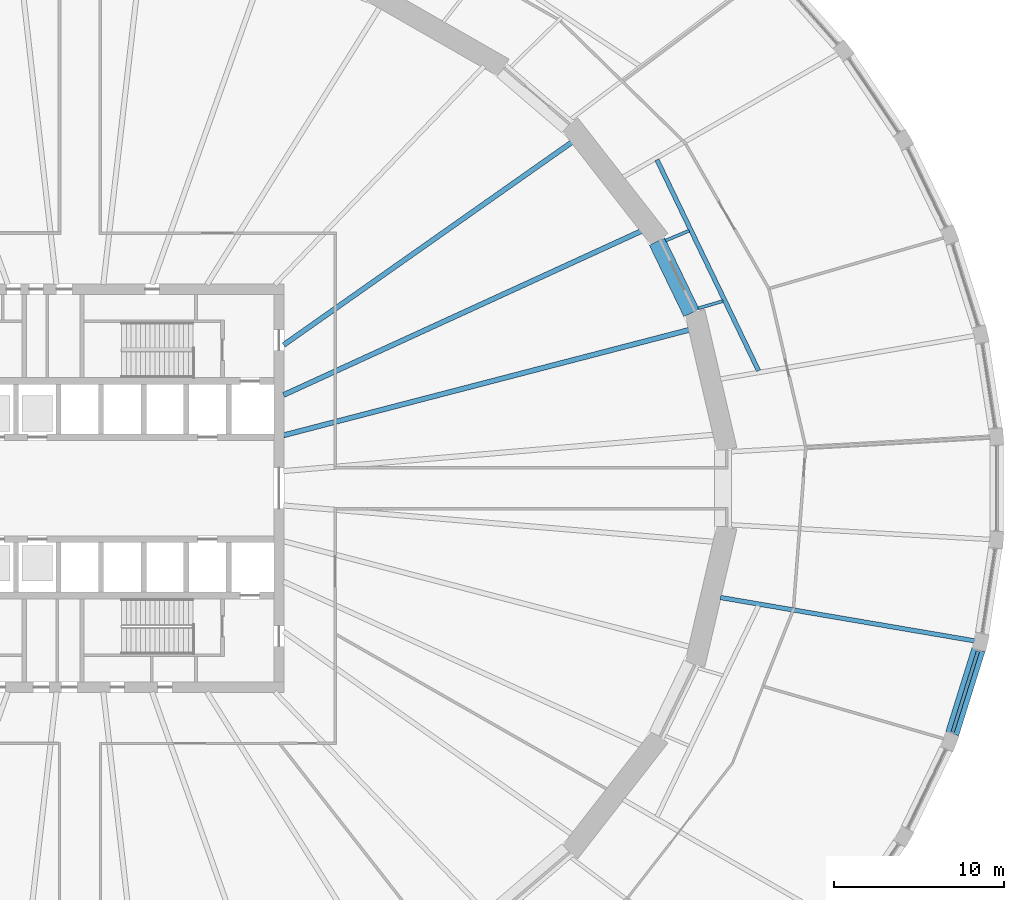
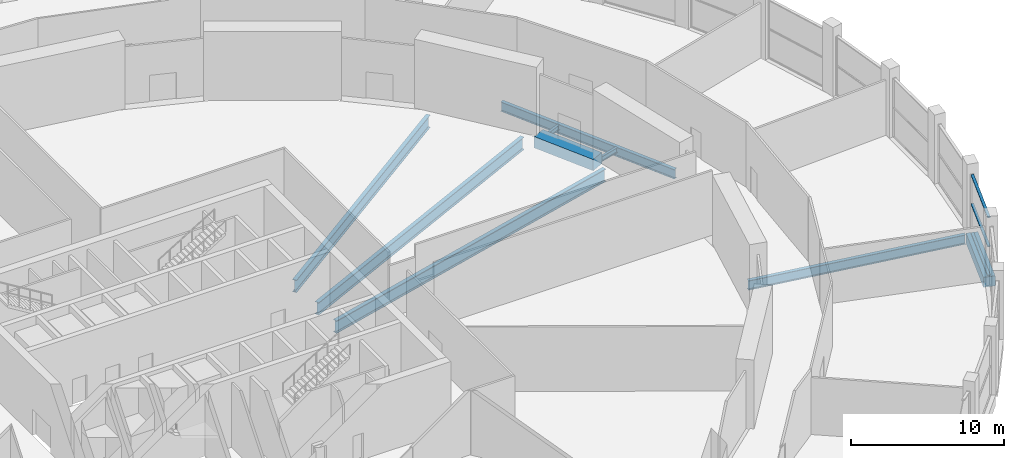
# One storey, part 11 of 29: 9 beams, 3 members, 1 element without a shape of its own.
"""IFC4 building model written with IfcOpenShell, lengths in metres."""

from ifc_helpers import new_model, si_unit, direction, frame, origin, origin_2d, place, context, subcontext, project, spatial, rectangle, i_section, extrude, material, material_profile, profile_set, type_object, element, aggregate, save


model = new_model("IFC4")

# Units and contexts
model_context = context("Model", 3, precision=1e-05, world=origin(), true_north=direction((0.0, 1.0)))
body_context = subcontext(model_context, "Body", "Model", "MODEL_VIEW")
ifc_project = project(units=[si_unit("LENGTHUNIT", "METRE"), si_unit("AREAUNIT", "SQUARE_METRE"), si_unit("VOLUMEUNIT", "CUBIC_METRE"), si_unit("PLANEANGLEUNIT", "RADIAN"), si_unit("MASSUNIT", "GRAM", prefix="KILO")], contexts=[model_context])

# Site, building, storey
site_placement = place(None, origin())
site = spatial("IfcSite", under=ifc_project, at=site_placement, CompositionType="ELEMENT")
building_placement = place(site_placement, origin())
building = spatial("IfcBuilding", under=site, at=building_placement, Name="Halqa Exchange Tower", CompositionType="ELEMENT")
storey_placement = place(building_placement, frame((0.0, 0.0, 7.0)))
storey = spatial("IfcBuildingStorey", under=building, at=storey_placement, Name="L01", CompositionType="ELEMENT", Elevation=7.0)

# Curtain wall, members
ifc_material_1 = material(Name="Anodised aluminium and clear glass", Category="aluminium")
curtain_wall_type = type_object("IfcCurtainWallType", Name="Exchange hall glazing", PredefinedType="NOTDEFINED", material=ifc_material_1)
curtain_wall_placement = place(storey_placement, origin())
curtain_wall = element("IfcCurtainWall", 1, at=curtain_wall_placement, inside=storey, type_object=curtain_wall_type, Name="Exchange hall glazing run P46", PredefinedType="NOTDEFINED")
ifc_material_2 = material(Name="Anodised aluminium", Category="aluminium")
ifc_material_profile_1 = material_profile(ifc_material_2, rectangle(XDim=0.199951171875, YDim=0.070068359375, at=origin_2d()), Name="AL 70x200")
ifc_profile_set_1 = profile_set([ifc_material_profile_1], Name="Anodised aluminium")
member_type = type_object("IfcMemberType", Name="Exchange hall glazing transom 70 x 200", PredefinedType="USERDEFINED", material=ifc_profile_set_1)
member_1_placement = place(storey_placement, frame((51.30419921875, -14.338623046875, 0.034912109375), z_axis=(0.298305642444, 0.954470399586, 0.0), x_axis=(-0.954470399586, 0.298305642444, 0.0)))
member_1 = element("IfcMember", 2, at=member_1_placement, type_object=member_type, Name="P46 transom 1.1", ObjectType="TRANSOM", PredefinedType="USERDEFINED", context=body_context, shape_type="SweptSolid", body=[
    extrude(rectangle(XDim=0.199951171875, YDim=0.070068359375, at=origin_2d()), origin(), (0.0, 0.0, 1.0), 4.989013671875),
])
member_2_placement = place(storey_placement, frame((51.30419921875, -14.338623046875, 2.35009765625), z_axis=(0.298305642444, 0.954470399586, 0.0), x_axis=(-0.954470399586, 0.298305642444, 0.0)))
member_2 = element("IfcMember", 3, at=member_2_placement, type_object=member_type, Name="P46 transom 1.2", ObjectType="TRANSOM", PredefinedType="USERDEFINED", context=body_context, shape_type="SweptSolid", body=[
    extrude(rectangle(XDim=0.199951171875, YDim=0.070068359375, at=origin_2d()), origin(), (0.0, 0.0, 1.0), 4.989013671875),
])
member_3_placement = place(storey_placement, frame((51.30419921875, -14.338623046875, 4.6650390625), z_axis=(0.298305642444, 0.954470399586, 0.0), x_axis=(-0.954470399586, 0.298305642444, 0.0)))
member_3 = element("IfcMember", 4, at=member_3_placement, type_object=member_type, Name="P46 transom 1.3", ObjectType="TRANSOM", PredefinedType="USERDEFINED", context=body_context, shape_type="SweptSolid", body=[
    extrude(rectangle(XDim=0.199951171875, YDim=0.070068359375, at=origin_2d()), origin(), (0.0, 0.0, 1.0), 4.989013671875),
])
aggregate(curtain_wall, [member_1, member_2, member_3])

# Beams
ifc_material_3 = material(Name="Steel S355", Category="steel")
ifc_material_profile_2 = material_profile(ifc_material_3, i_section(OverallWidth=0.300048828125, OverallDepth=1.0, WebThickness=0.01904296875, FlangeThickness=0.035888671875, FilletRadius=0.030029296875, at=origin_2d()), Name="HEB 1000")
ifc_profile_set_2 = profile_set([ifc_material_profile_2], Name="Steel S355")
beam_type_1 = type_object("IfcBeamType", Name="Floor beam HEB 1000", PredefinedType="BEAM", material=ifc_profile_set_2)
beam_1_placement = place(storey_placement, frame((11.972412109375, 5.485107421875, -0.85009765625), z_axis=(0.909128229117, 0.416516341843, 0.0), x_axis=(-0.416516341843, 0.909128229117, 0.0)))
element("IfcBeam", 5, at=beam_1_placement, inside=storey, type_object=beam_type_1, Name="Radial beam 3", PredefinedType="BEAM", context=body_context, shape_type="SweptSolid", body=[
    extrude(i_section(OverallWidth=0.300048828125, OverallDepth=1.0, WebThickness=0.01904296875, FlangeThickness=0.035888671875, FilletRadius=0.030029296875, at=origin_2d()), origin(), (0.0, 0.0, 1.0), 23.209228515625),
])
beam_2_placement = place(storey_placement, frame((11.972412109375, 8.421875, -0.85009765625), z_axis=(0.817909911418, 0.575346310325, 0.0), x_axis=(-0.575346310325, 0.817909911418, 0.0)))
element("IfcBeam", 6, at=beam_2_placement, inside=storey, type_object=beam_type_1, Name="Radial beam 4", PredefinedType="BEAM", context=body_context, shape_type="SweptSolid", body=[
    extrude(i_section(OverallWidth=0.300048828125, OverallDepth=1.0, WebThickness=0.01904296875, FlangeThickness=0.035888671875, FilletRadius=0.030029296875, at=origin_2d()), origin(), (0.0, 0.0, 1.0), 20.804443359375),
])
ifc_material_profile_3 = material_profile(ifc_material_3, i_section(OverallWidth=0.302001953125, OverallDepth=1.008056640625, WebThickness=0.02099609375, FlangeThickness=0.0400390625, FilletRadius=0.030029296875, at=origin_2d()), Name="HEM 1000")
ifc_profile_set_3 = profile_set([ifc_material_profile_3], Name="Steel S355")
beam_type_2 = type_object("IfcBeamType", Name="Floor beam HEM 1000", PredefinedType="BEAM", material=ifc_profile_set_3)
beam_3_placement = place(storey_placement, frame((11.971435546875, 3.11279296875, -0.85400390625), z_axis=(0.967821064299, 0.251639399735, 0.0), x_axis=(-0.251639399735, 0.967821064299, 0.0)))
element("IfcBeam", 7, at=beam_3_placement, inside=storey, type_object=beam_type_2, Name="Radial beam 2", PredefinedType="BEAM", context=body_context, shape_type="SweptSolid", body=[
    extrude(i_section(OverallWidth=0.302001953125, OverallDepth=1.008056640625, WebThickness=0.02099609375, FlangeThickness=0.0400390625, FilletRadius=0.030029296875, at=origin_2d()), origin(), (0.0, 0.0, 1.0), 24.7314453125),
])
ifc_material_profile_4 = material_profile(ifc_material_3, i_section(OverallWidth=0.179931640625, OverallDepth=0.39990234375, WebThickness=0.008544921875, FlangeThickness=0.013427734375, FilletRadius=0.02099609375, at=origin_2d()), Name="IPE 400")
ifc_profile_set_4 = profile_set([ifc_material_profile_4], Name="Steel S355")
beam_type_3 = type_object("IfcBeamType", Name="Floor beam IPE 400", PredefinedType="BEAM", material=ifc_profile_set_4)
beam_4_placement = place(storey_placement, frame((36.34521484375, 10.578369140625, -0.550048828125), z_axis=(0.960174163417, 0.279402175917, 0.0), x_axis=(-0.279402175917, 0.960174163417, 0.0)))
element("IfcBeam", 8, at=beam_4_placement, inside=storey, type_object=beam_type_3, Name="Radial beam 3a", PredefinedType="BEAM", context=body_context, shape_type="SweptSolid", body=[
    extrude(i_section(OverallWidth=0.179931640625, OverallDepth=0.39990234375, WebThickness=0.008544921875, FlangeThickness=0.013427734375, FilletRadius=0.02099609375, at=origin_2d()), origin(), (0.0, 0.0, 1.0), 1.521240234375),
])
beam_5_placement = place(storey_placement, frame((34.423583984375, 14.555419921875, -0.550048828125), z_axis=(0.921076708702, 0.389381171459, 0.0), x_axis=(-0.389381171459, 0.921076708702, 0.0)))
element("IfcBeam", 9, at=beam_5_placement, inside=storey, type_object=beam_type_3, Name="Radial beam 4a", PredefinedType="BEAM", context=body_context, shape_type="SweptSolid", body=[
    extrude(i_section(OverallWidth=0.179931640625, OverallDepth=0.39990234375, WebThickness=0.008544921875, FlangeThickness=0.013427734375, FilletRadius=0.02099609375, at=origin_2d()), origin(), (0.0, 0.0, 1.0), 1.5078125),
])
ifc_material_profile_5 = material_profile(ifc_material_3, i_section(OverallWidth=0.264892578125, OverallDepth=0.7529296875, WebThickness=0.01318359375, FlangeThickness=0.01708984375, FilletRadius=0.01708984375, at=origin_2d()), Name="IPE 750x147")
ifc_profile_set_5 = profile_set([ifc_material_profile_5], Name="Steel S355")
beam_type_4 = type_object("IfcBeamType", Name="Floor beam IPE 750x147", PredefinedType="BEAM", material=ifc_profile_set_5)
beam_6_placement = place(storey_placement, frame((37.654296875, -6.421875, -0.7265625), z_axis=(0.985764762639, -0.168130403968, 0.0), x_axis=(0.168130403968, 0.985764762639, 0.0)))
element("IfcBeam", 10, at=beam_6_placement, inside=storey, type_object=beam_type_4, Name="Radial beam 47", PredefinedType="BEAM", context=body_context, shape_type="SweptSolid", body=[
    extrude(i_section(OverallWidth=0.264892578125, OverallDepth=0.7529296875, WebThickness=0.01318359375, FlangeThickness=0.01708984375, FilletRadius=0.01708984375, at=origin_2d()), origin(), (0.0, 0.0, 1.0), 15.156982421875),
])
beam_7_placement = place(storey_placement, frame((39.89306640625, 6.91015625, -0.7265625), z_axis=(-0.433856142987, 0.900982156978, 0.0), x_axis=(-0.900982156978, -0.433856142987, 0.0)))
element("IfcBeam", 11, at=beam_7_placement, inside=storey, type_object=beam_type_4, Name="Radial beam TSS1-in", PredefinedType="BEAM", context=body_context, shape_type="SweptSolid", body=[
    extrude(i_section(OverallWidth=0.264892578125, OverallDepth=0.7529296875, WebThickness=0.01318359375, FlangeThickness=0.01708984375, FilletRadius=0.01708984375, at=origin_2d()), origin(), (0.0, 0.0, 1.0), 13.766357421875),
])
ifc_material_4 = material(Name="Concrete C60/75", Category="concrete")
ifc_material_profile_6 = material_profile(ifc_material_4, rectangle(XDim=0.800048828125, YDim=0.800048828125, at=origin_2d()), Name="800 x 800")
ifc_profile_set_6 = profile_set([ifc_material_profile_6], Name="Concrete C60/75")
beam_type_5 = type_object("IfcBeamType", Name="RC podium edge beam 800 x 800 C60/75", PredefinedType="SPANDREL", material=ifc_profile_set_6)
beam_8_placement = place(storey_placement, frame((51.275390625, -14.430419921875, -0.39990234375), z_axis=(0.298331338153, 0.954462368392, 0.0), x_axis=(-0.954462368392, 0.298331338153, 0.0)))
element("IfcBeam", 12, at=beam_8_placement, inside=storey, type_object=beam_type_5, Name="Podium edge beam 46", PredefinedType="SPANDREL", context=body_context, shape_type="SweptSolid", body=[
    extrude(rectangle(XDim=0.800048828125, YDim=0.800048828125, at=origin_2d()), origin(), (0.0, 0.0, 1.0), 5.180908203125),
])
ifc_material_profile_7 = material_profile(ifc_material_4, rectangle(XDim=1.0, YDim=0.89990234375, at=origin_2d()), Name="1000 x 900")
ifc_profile_set_7 = profile_set([ifc_material_profile_7], Name="Concrete C60/75")
beam_type_6 = type_object("IfcBeamType", Name="RC spandrel beam 1000 x 900 C60/75", PredefinedType="SPANDREL", material=ifc_profile_set_7)
beam_9_placement = place(storey_placement, frame((35.951904296875, 10.306884765625, -0.449951171875), z_axis=(-0.435068215878, 0.900397494184, 0.0), x_axis=(-0.900397494184, -0.435068215878, 0.0)))
element("IfcBeam", 13, at=beam_9_placement, inside=storey, type_object=beam_type_6, Name="Spandrel 2", PredefinedType="SPANDREL", context=body_context, shape_type="SweptSolid", body=[
    extrude(rectangle(XDim=1.0, YDim=0.89990234375, at=origin_2d()), origin(), (0.0, 0.0, 1.0), 4.6630859375),
])

save(model, "model.ifc")
